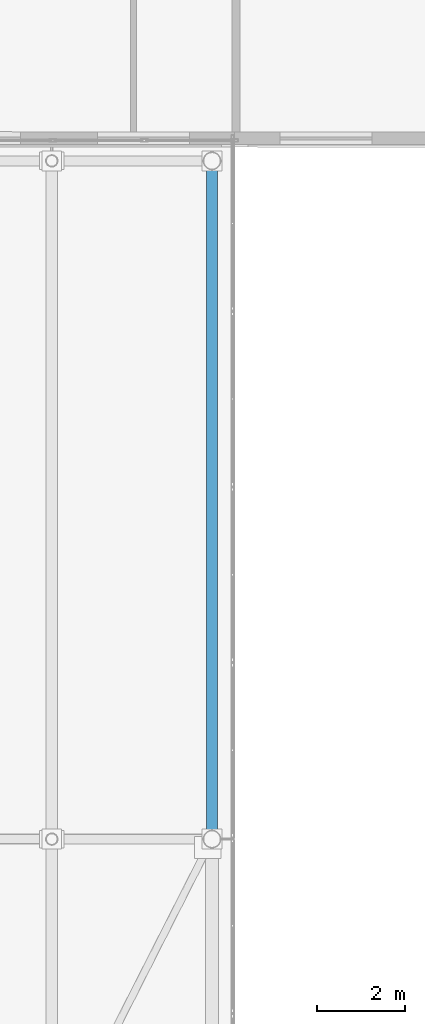
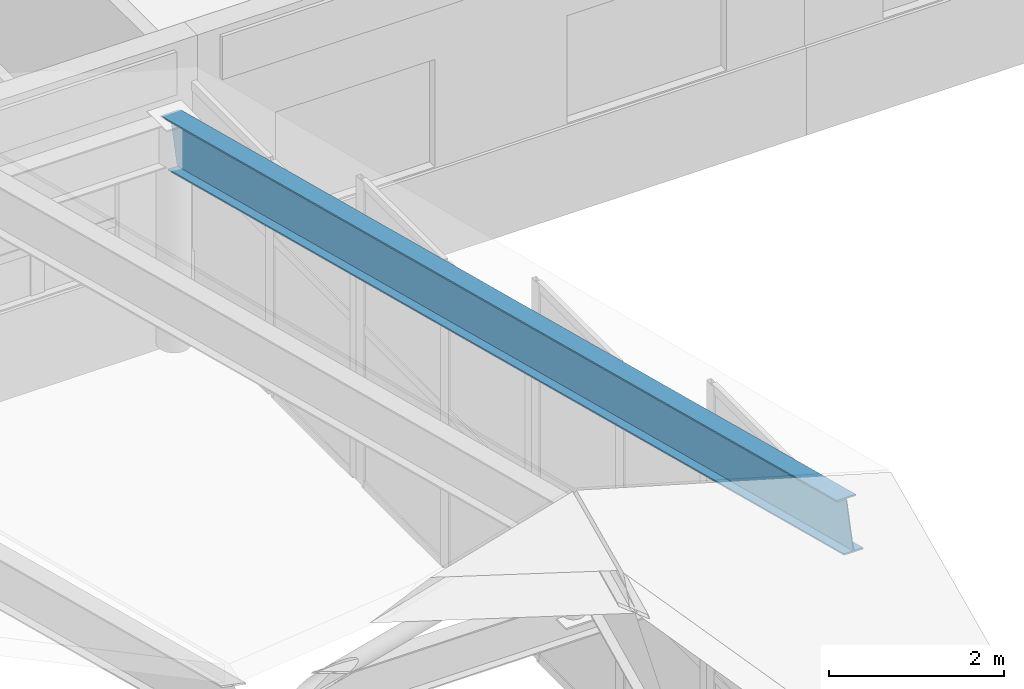
# One storey, part 103 of 184: 1 beam.
"""IFC4 building model written with IfcOpenShell, lengths in metres."""

from ifc_helpers import new_model, si_unit, direction, frame, origin, origin_2d, place, context, subcontext, project, spatial, i_section, extrude, material, material_profile, profile_set, type_object, element, save


model = new_model("IFC4")

# Units and contexts
model_context = context("Model", 3, precision=1e-05, world=origin(), true_north=direction((0.0, 1.0)))
body_context = subcontext(model_context, "Body", "Model", "MODEL_VIEW")
ifc_project = project(units=[si_unit("LENGTHUNIT", "METRE"), si_unit("AREAUNIT", "SQUARE_METRE"), si_unit("VOLUMEUNIT", "CUBIC_METRE"), si_unit("PLANEANGLEUNIT", "RADIAN"), si_unit("MASSUNIT", "GRAM", prefix="KILO")], contexts=[model_context])

# Site, building, storey
site_placement = place(None, origin())
site = spatial("IfcSite", under=ifc_project, at=site_placement, CompositionType="ELEMENT")
building_placement = place(site_placement, origin())
building = spatial("IfcBuilding", under=site, at=building_placement, Name="Selatvlak General Hospital", CompositionType="ELEMENT")
storey_placement = place(building_placement, frame((0.0, 0.0, 15.0)))
storey = spatial("IfcBuildingStorey", under=building, at=storey_placement, Name="L03", CompositionType="ELEMENT", Elevation=15.0)

# Beam
ifc_material = material(Name="Steel S355", Category="steel")
ifc_material_profile = material_profile(ifc_material, i_section(OverallWidth=0.253662109375, OverallDepth=0.68359375, WebThickness=0.012451171875, FlangeThickness=0.01904296875, at=origin_2d()), Name="UB 686x254x140")
ifc_profile_set = profile_set([ifc_material_profile], Name="Steel S355")
beam_type = type_object("IfcBeamType", Name="BM-RF3", PredefinedType="BEAM", material=ifc_profile_set)
beam_placement = place(storey_placement, frame((81.050048828125, 68.0, 6.8330078125), z_axis=(0.0, 0.968081216491, -0.250636705766), x_axis=(-1.0, 0.0, 0.0)))
element("IfcBeam", 1, at=beam_placement, inside=storey, type_object=beam_type, Name="Folded roof north rafter 15", PredefinedType="BEAM", context=body_context, shape_type="SweptSolid", body=[
    extrude(i_section(OverallWidth=0.253662109375, OverallDepth=0.68359375, WebThickness=0.012451171875, FlangeThickness=0.01904296875, at=origin_2d()), origin(), (0.0, 0.0, 1.0), 15.95947265625),
])

save(model, "model.ifc")
